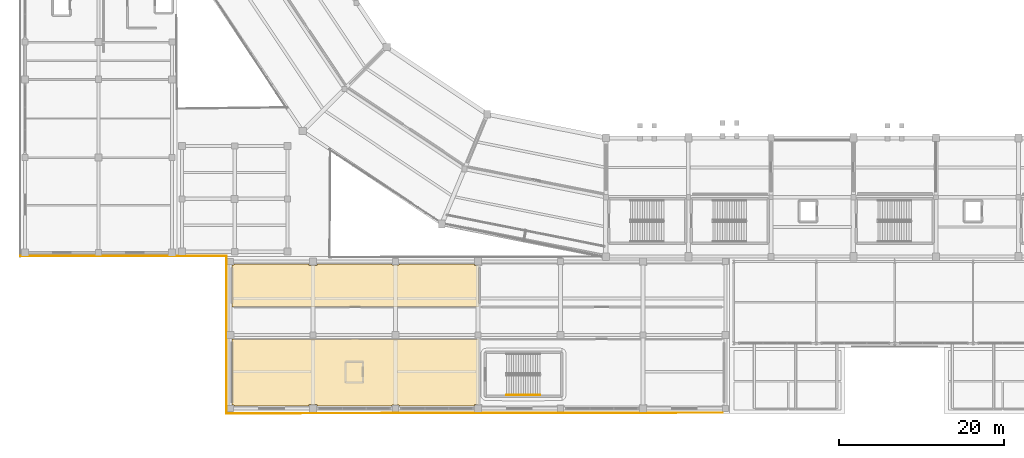
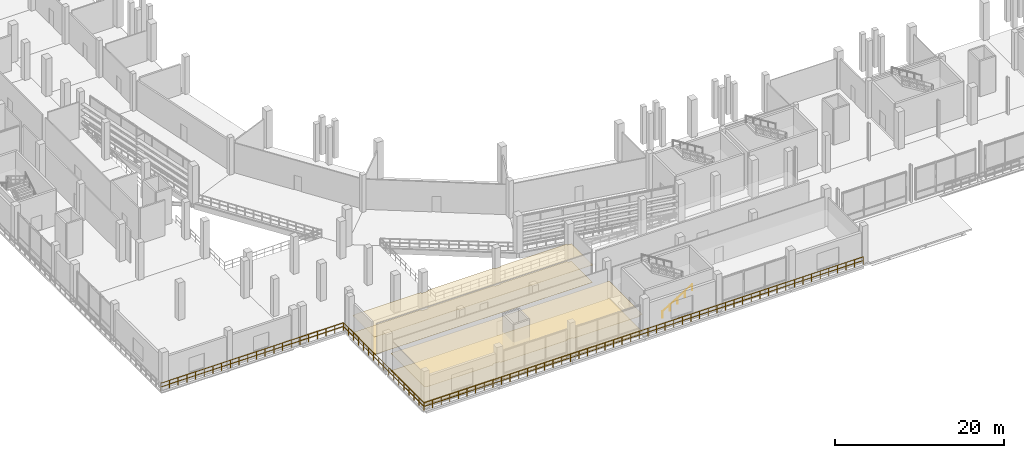
# One storey, part 91 of 114: 4 coverings, 4 railings.
"""IFC4 building model written with IfcOpenShell, lengths in metres."""

from ifc_helpers import new_model, si_unit, direction, frame, origin, origin_2d, place, context, subcontext, project, spatial, polyline, circle, outline, extrude, material, layer, layer_set, type_object, element, save


model = new_model("IFC4")

# Units and contexts
model_context = context("Model", 3, precision=1e-05, world=origin(), true_north=direction((0.0, 1.0)))
body_context = subcontext(model_context, "Body", "Model", "MODEL_VIEW")
ifc_project = project(units=[si_unit("LENGTHUNIT", "METRE"), si_unit("AREAUNIT", "SQUARE_METRE"), si_unit("VOLUMEUNIT", "CUBIC_METRE"), si_unit("PLANEANGLEUNIT", "RADIAN"), si_unit("MASSUNIT", "GRAM", prefix="KILO")], contexts=[model_context])

# Site, building, storey
site_placement = place(None, origin())
site = spatial("IfcSite", under=ifc_project, at=site_placement, CompositionType="ELEMENT")
building_placement = place(site_placement, origin())
building = spatial("IfcBuilding", under=site, at=building_placement, Name="Candeia Ridge Stadium", CompositionType="ELEMENT")
storey_placement = place(building_placement, frame((0.0, 0.0, 5.39990234375)))
storey = spatial("IfcBuildingStorey", under=building, at=storey_placement, Name="L01", CompositionType="ELEMENT", Elevation=5.39990234375)

# Coverings
ifc_material_1 = material(Name="Basalt Terrazzo Finish", Category="masonry")
ifc_layer_1 = layer(ifc_material_1, 0.02490234375, Name="Basalt Terrazzo Finish", Category="masonry")
ifc_layer_set_1 = layer_set([ifc_layer_1], Name="Basalt Terrazzo Finish")
covering_type_1 = type_object("IfcCoveringType", Name="Polished Basalt Terrazzo Flooring 25", PredefinedType="FLOORING", material=ifc_layer_set_1)
covering_1_placement = place(storey_placement, origin())
element("IfcCovering", 1, at=covering_1_placement, inside=storey, type_object=covering_type_1, Name="Interior finish flooring Football Heritage Permanent Gallery", PredefinedType="FLOORING", context=body_context, shape_type="SweptSolid", body=[
    extrude(outline(polyline([(25.670166015625, 9.0029296875), (25.670654296875, 9.005859375), (25.67138671875, 9.0087890625), (25.67236328125, 9.011474609375), (25.673583984375, 9.01416015625), (25.675048828125, 9.0166015625), (25.6767578125, 9.01904296875), (25.6787109375, 9.021240234375), (25.680908203125, 9.023193359375), (25.683349609375, 9.02490234375), (25.685791015625, 9.026611328125), (25.6884765625, 9.027587890625), (25.69140625, 9.02880859375), (25.694091796875, 9.029296875), (25.697021484375, 9.02978515625), (25.699951171875, 9.030029296875), (55.5, 9.030029296875), (55.5029296875, 9.02978515625), (55.505859375, 9.029296875), (55.5087890625, 9.02880859375), (55.511474609375, 9.027587890625), (55.51416015625, 9.026611328125), (55.5166015625, 9.02490234375), (55.51904296875, 9.023193359375), (55.521240234375, 9.021240234375), (55.523193359375, 9.01904296875), (55.52490234375, 9.0166015625), (55.526611328125, 9.01416015625), (55.527587890625, 9.011474609375), (55.52880859375, 9.0087890625), (55.529296875, 9.005859375), (55.52978515625, 9.0029296875), (55.530029296875, 9.0), (55.530029296875, 1.06494140625), (55.034912109375, 1.06494140625), (55.034912109375, 0.8701171875), (45.9150390625, 0.8701171875), (45.9150390625, 1.014892578125), (45.0849609375, 1.014892578125), (45.0849609375, 0.8701171875), (35.965087890625, 0.8701171875), (35.965087890625, 1.06494140625), (35.034912109375, 1.06494140625), (35.034912109375, 0.8701171875), (25.9150390625, 0.8701171875), (25.9150390625, 1.014892578125), (25.669921875, 1.014892578125), (25.669921875, 9.0), (25.670166015625, 9.0029296875)])), origin(), (0.0, 0.0, 1.0), 0.02001953125),
])
covering_2_placement = place(storey_placement, origin())
element("IfcCovering", 2, at=covering_2_placement, inside=storey, type_object=covering_type_1, Name="Interior finish flooring Football Heritage Permanent Gallery North Hall", PredefinedType="FLOORING", context=body_context, shape_type="SweptSolid", body=[
    extrude(outline(polyline([(25.694091796875, 12.87060546875), (25.69140625, 12.871337890625), (25.6884765625, 12.872314453125), (25.685791015625, 12.87353515625), (25.683349609375, 12.875), (25.680908203125, 12.876708984375), (25.6787109375, 12.87890625), (25.6767578125, 12.881103515625), (25.675048828125, 12.88330078125), (25.673583984375, 12.885986328125), (25.67236328125, 12.888427734375), (25.67138671875, 12.891357421875), (25.670654296875, 12.89404296875), (25.670166015625, 12.897216796875), (25.669921875, 12.89990234375), (25.669921875, 17.985107421875), (25.9150390625, 17.985107421875), (25.9150390625, 18.1298828125), (35.034912109375, 18.1298828125), (35.034912109375, 17.93505859375), (35.965087890625, 17.93505859375), (35.965087890625, 18.1298828125), (45.0849609375, 18.1298828125), (45.0849609375, 17.985107421875), (45.9150390625, 17.985107421875), (45.9150390625, 18.1298828125), (55.034912109375, 18.1298828125), (55.034912109375, 17.93505859375), (55.530029296875, 17.93505859375), (55.530029296875, 12.89990234375), (55.52978515625, 12.897216796875), (55.529296875, 12.89404296875), (55.52880859375, 12.891357421875), (55.527587890625, 12.888427734375), (55.526611328125, 12.885986328125), (55.52490234375, 12.88330078125), (55.523193359375, 12.881103515625), (55.521240234375, 12.87890625), (55.51904296875, 12.876708984375), (55.5166015625, 12.875), (55.51416015625, 12.87353515625), (55.511474609375, 12.872314453125), (55.5087890625, 12.871337890625), (55.505859375, 12.87060546875), (55.5029296875, 12.8701171875), (55.5, 12.8701171875), (25.699951171875, 12.8701171875), (25.697021484375, 12.8701171875), (25.694091796875, 12.87060546875)])), origin(), (0.0, 0.0, 1.0), 0.02001953125),
])
ifc_material_2 = material(Name="Western Red Cedar Acoustic Slat", Category="wood")
ifc_layer_2 = layer(ifc_material_2, 0.044921875, Name="Western Red Cedar Acoustic Slat", Category="wood")
ifc_layer_set_2 = layer_set([ifc_layer_2], Name="Western Red Cedar Acoustic Slat")
covering_type_2 = type_object("IfcCoveringType", Name="Slatted Cedar Acoustic Ceiling 45", PredefinedType="CEILING", material=ifc_layer_set_2)
covering_3_placement = place(storey_placement, frame((0.0, 0.0, 2.510009765625)))
element("IfcCovering", 3, at=covering_3_placement, inside=storey, type_object=covering_type_2, Name="Acoustic ceiling Football Heritage Permanent Gallery", PredefinedType="CEILING", context=body_context, shape_type="SweptSolid", body=[
    extrude(outline(polyline([(25.670166015625, 9.0029296875), (25.670654296875, 9.005859375), (25.67138671875, 9.0087890625), (25.67236328125, 9.011474609375), (25.673583984375, 9.01416015625), (25.675048828125, 9.0166015625), (25.6767578125, 9.01904296875), (25.6787109375, 9.021240234375), (25.680908203125, 9.023193359375), (25.683349609375, 9.02490234375), (25.685791015625, 9.026611328125), (25.6884765625, 9.027587890625), (25.69140625, 9.02880859375), (25.694091796875, 9.029296875), (25.697021484375, 9.02978515625), (25.699951171875, 9.030029296875), (55.5, 9.030029296875), (55.5029296875, 9.02978515625), (55.505859375, 9.029296875), (55.5087890625, 9.02880859375), (55.511474609375, 9.027587890625), (55.51416015625, 9.026611328125), (55.5166015625, 9.02490234375), (55.51904296875, 9.023193359375), (55.521240234375, 9.021240234375), (55.523193359375, 9.01904296875), (55.52490234375, 9.0166015625), (55.526611328125, 9.01416015625), (55.527587890625, 9.011474609375), (55.52880859375, 9.0087890625), (55.529296875, 9.005859375), (55.52978515625, 9.0029296875), (55.530029296875, 9.0), (55.530029296875, 1.06494140625), (55.034912109375, 1.06494140625), (55.034912109375, 0.8701171875), (45.9150390625, 0.8701171875), (45.9150390625, 1.014892578125), (45.0849609375, 1.014892578125), (45.0849609375, 0.8701171875), (35.965087890625, 0.8701171875), (35.965087890625, 1.06494140625), (35.034912109375, 1.06494140625), (35.034912109375, 0.8701171875), (25.9150390625, 0.8701171875), (25.9150390625, 1.014892578125), (25.669921875, 1.014892578125), (25.669921875, 9.0), (25.670166015625, 9.0029296875)])), origin(), (0.0, 0.0, 1.0), 0.0400390625),
])
covering_4_placement = place(storey_placement, frame((0.0, 0.0, 2.510009765625)))
element("IfcCovering", 4, at=covering_4_placement, inside=storey, type_object=covering_type_2, Name="Acoustic ceiling Football Heritage Permanent Gallery North Hall", PredefinedType="CEILING", context=body_context, shape_type="SweptSolid", body=[
    extrude(outline(polyline([(25.694091796875, 12.87060546875), (25.69140625, 12.871337890625), (25.6884765625, 12.872314453125), (25.685791015625, 12.87353515625), (25.683349609375, 12.875), (25.680908203125, 12.876708984375), (25.6787109375, 12.87890625), (25.6767578125, 12.881103515625), (25.675048828125, 12.88330078125), (25.673583984375, 12.885986328125), (25.67236328125, 12.888427734375), (25.67138671875, 12.891357421875), (25.670654296875, 12.89404296875), (25.670166015625, 12.897216796875), (25.669921875, 12.89990234375), (25.669921875, 17.985107421875), (25.9150390625, 17.985107421875), (25.9150390625, 18.1298828125), (35.034912109375, 18.1298828125), (35.034912109375, 17.93505859375), (35.965087890625, 17.93505859375), (35.965087890625, 18.1298828125), (45.0849609375, 18.1298828125), (45.0849609375, 17.985107421875), (45.9150390625, 17.985107421875), (45.9150390625, 18.1298828125), (55.034912109375, 18.1298828125), (55.034912109375, 17.93505859375), (55.530029296875, 17.93505859375), (55.530029296875, 12.89990234375), (55.52978515625, 12.897216796875), (55.529296875, 12.89404296875), (55.52880859375, 12.891357421875), (55.527587890625, 12.888427734375), (55.526611328125, 12.885986328125), (55.52490234375, 12.88330078125), (55.523193359375, 12.881103515625), (55.521240234375, 12.87890625), (55.51904296875, 12.876708984375), (55.5166015625, 12.875), (55.51416015625, 12.87353515625), (55.511474609375, 12.872314453125), (55.5087890625, 12.871337890625), (55.505859375, 12.87060546875), (55.5029296875, 12.8701171875), (55.5, 12.8701171875), (25.699951171875, 12.8701171875), (25.697021484375, 12.8701171875), (25.694091796875, 12.87060546875)])), origin(), (0.0, 0.0, 1.0), 0.0400390625),
])

# Railings
ifc_material_3 = material(Name="Galvanized Powder-Coated Steel", Category="steel")
ifc_layer_3 = layer(ifc_material_3, 0.074951171875, Name="Galvanized Powder-Coated Steel", Category="steel")
ifc_layer_set_3 = layer_set([ifc_layer_3], Name="Galvanized Powder-Coated Steel")
railing_type_1 = type_object("IfcRailingType", Name="Spectator Bowl Front Guardrail 1120", PredefinedType="GUARDRAIL", material=ifc_layer_set_3)
railing_1_placement = place(storey_placement, frame((85.14990234375, 0.080078125, 0.0)))
element("IfcRailing", 5, at=railing_1_placement, inside=storey, type_object=railing_type_1, Name="Deck edge safety guardrail GR-DE-L01-0016", PredefinedType="GUARDRAIL", context=body_context, shape_type="SweptSolid", body=[
    extrude(circle(Radius=0.02392578125, at=origin_2d()), frame((0.0, 0.0, 1.09619140625), z_axis=(-0.999999113809, -0.00133130813, 0.0), x_axis=(0.00133130813, -0.999999113809, 0.0)), (0.0, 0.0, 1.0), 60.14990234375),
    extrude(circle(Radius=0.02392578125, at=origin_2d()), frame((0.0, 0.0, 0.56005859375), z_axis=(-0.999999113809, -0.00133130813, 0.0), x_axis=(0.00133130813, -0.999999113809, 0.0)), (0.0, 0.0, 1.0), 60.14990234375),
    extrude(circle(Radius=0.02099609375, at=origin_2d()), origin(), (0.0, 0.0, 1.0), 1.072021484375),
    extrude(circle(Radius=0.02099609375, at=origin_2d()), frame((-1.179443359375, -0.00146484375, 0.0)), (0.0, 0.0, 1.0), 1.072021484375),
    extrude(circle(Radius=0.02099609375, at=origin_2d()), frame((-2.35888671875, -0.003173828125, 0.0)), (0.0, 0.0, 1.0), 1.072021484375),
    extrude(circle(Radius=0.02099609375, at=origin_2d()), frame((-3.538330078125, -0.004638671875, 0.0)), (0.0, 0.0, 1.0), 1.072021484375),
    extrude(circle(Radius=0.02099609375, at=origin_2d()), frame((-4.717529296875, -0.00634765625, 0.0)), (0.0, 0.0, 1.0), 1.072021484375),
    extrude(circle(Radius=0.02099609375, at=origin_2d()), frame((-5.89697265625, -0.0078125, 0.0)), (0.0, 0.0, 1.0), 1.072021484375),
    extrude(circle(Radius=0.02099609375, at=origin_2d()), frame((-7.076416015625, -0.009521484375, 0.0)), (0.0, 0.0, 1.0), 1.072021484375),
    extrude(circle(Radius=0.02099609375, at=origin_2d()), frame((-8.255859375, -0.010986328125, 0.0)), (0.0, 0.0, 1.0), 1.072021484375),
    extrude(circle(Radius=0.02099609375, at=origin_2d()), frame((-9.435302734375, -0.012451171875, 0.0)), (0.0, 0.0, 1.0), 1.072021484375),
    extrude(circle(Radius=0.02099609375, at=origin_2d()), frame((-10.61474609375, -0.01416015625, 0.0)), (0.0, 0.0, 1.0), 1.072021484375),
    extrude(circle(Radius=0.02099609375, at=origin_2d()), frame((-11.794189453125, -0.015625, 0.0)), (0.0, 0.0, 1.0), 1.072021484375),
    extrude(circle(Radius=0.02099609375, at=origin_2d()), frame((-12.973388671875, -0.017333984375, 0.0)), (0.0, 0.0, 1.0), 1.072021484375),
    extrude(circle(Radius=0.02099609375, at=origin_2d()), frame((-14.15283203125, -0.018798828125, 0.0)), (0.0, 0.0, 1.0), 1.072021484375),
    extrude(circle(Radius=0.02099609375, at=origin_2d()), frame((-15.332275390625, -0.0205078125, 0.0)), (0.0, 0.0, 1.0), 1.072021484375),
    extrude(circle(Radius=0.02099609375, at=origin_2d()), frame((-16.51171875, -0.02197265625, 0.0)), (0.0, 0.0, 1.0), 1.072021484375),
    extrude(circle(Radius=0.02099609375, at=origin_2d()), frame((-17.691162109375, -0.0234375, 0.0)), (0.0, 0.0, 1.0), 1.072021484375),
    extrude(circle(Radius=0.02099609375, at=origin_2d()), frame((-18.87060546875, -0.025146484375, 0.0)), (0.0, 0.0, 1.0), 1.072021484375),
    extrude(circle(Radius=0.02099609375, at=origin_2d()), frame((-20.050048828125, -0.026611328125, 0.0)), (0.0, 0.0, 1.0), 1.072021484375),
    extrude(circle(Radius=0.02099609375, at=origin_2d()), frame((-21.2294921875, -0.0283203125, 0.0)), (0.0, 0.0, 1.0), 1.072021484375),
    extrude(circle(Radius=0.02099609375, at=origin_2d()), frame((-22.40869140625, -0.02978515625, 0.0)), (0.0, 0.0, 1.0), 1.072021484375),
    extrude(circle(Radius=0.02099609375, at=origin_2d()), frame((-23.588134765625, -0.031494140625, 0.0)), (0.0, 0.0, 1.0), 1.072021484375),
    extrude(circle(Radius=0.02099609375, at=origin_2d()), frame((-24.767578125, -0.032958984375, 0.0)), (0.0, 0.0, 1.0), 1.072021484375),
    extrude(circle(Radius=0.02099609375, at=origin_2d()), frame((-25.947021484375, -0.034423828125, 0.0)), (0.0, 0.0, 1.0), 1.072021484375),
    extrude(circle(Radius=0.02099609375, at=origin_2d()), frame((-27.12646484375, -0.0361328125, 0.0)), (0.0, 0.0, 1.0), 1.072021484375),
    extrude(circle(Radius=0.02099609375, at=origin_2d()), frame((-28.305908203125, -0.03759765625, 0.0)), (0.0, 0.0, 1.0), 1.072021484375),
    extrude(circle(Radius=0.02099609375, at=origin_2d()), frame((-29.4853515625, -0.039306640625, 0.0)), (0.0, 0.0, 1.0), 1.072021484375),
    extrude(circle(Radius=0.02099609375, at=origin_2d()), frame((-30.66455078125, -0.040771484375, 0.0)), (0.0, 0.0, 1.0), 1.072021484375),
    extrude(circle(Radius=0.02099609375, at=origin_2d()), frame((-31.843994140625, -0.04248046875, 0.0)), (0.0, 0.0, 1.0), 1.072021484375),
    extrude(circle(Radius=0.02099609375, at=origin_2d()), frame((-33.0234375, -0.0439453125, 0.0)), (0.0, 0.0, 1.0), 1.072021484375),
    extrude(circle(Radius=0.02099609375, at=origin_2d()), frame((-34.202880859375, -0.045654296875, 0.0)), (0.0, 0.0, 1.0), 1.072021484375),
    extrude(circle(Radius=0.02099609375, at=origin_2d()), frame((-35.38232421875, -0.047119140625, 0.0)), (0.0, 0.0, 1.0), 1.072021484375),
    extrude(circle(Radius=0.02099609375, at=origin_2d()), frame((-36.561767578125, -0.048583984375, 0.0)), (0.0, 0.0, 1.0), 1.072021484375),
    extrude(circle(Radius=0.02099609375, at=origin_2d()), frame((-37.7412109375, -0.05029296875, 0.0)), (0.0, 0.0, 1.0), 1.072021484375),
    extrude(circle(Radius=0.02099609375, at=origin_2d()), frame((-38.92041015625, -0.0517578125, 0.0)), (0.0, 0.0, 1.0), 1.072021484375),
    extrude(circle(Radius=0.02099609375, at=origin_2d()), frame((-40.099853515625, -0.053466796875, 0.0)), (0.0, 0.0, 1.0), 1.072021484375),
    extrude(circle(Radius=0.02099609375, at=origin_2d()), frame((-41.279296875, -0.054931640625, 0.0)), (0.0, 0.0, 1.0), 1.072021484375),
    extrude(circle(Radius=0.02099609375, at=origin_2d()), frame((-42.458740234375, -0.056640625, 0.0)), (0.0, 0.0, 1.0), 1.072021484375),
    extrude(circle(Radius=0.02099609375, at=origin_2d()), frame((-43.63818359375, -0.05810546875, 0.0)), (0.0, 0.0, 1.0), 1.072021484375),
    extrude(circle(Radius=0.02099609375, at=origin_2d()), frame((-44.817626953125, -0.0595703125, 0.0)), (0.0, 0.0, 1.0), 1.072021484375),
    extrude(circle(Radius=0.02099609375, at=origin_2d()), frame((-45.9970703125, -0.061279296875, 0.0)), (0.0, 0.0, 1.0), 1.072021484375),
    extrude(circle(Radius=0.02099609375, at=origin_2d()), frame((-47.176513671875, -0.062744140625, 0.0)), (0.0, 0.0, 1.0), 1.072021484375),
    extrude(circle(Radius=0.02099609375, at=origin_2d()), frame((-48.355712890625, -0.064453125, 0.0)), (0.0, 0.0, 1.0), 1.072021484375),
    extrude(circle(Radius=0.02099609375, at=origin_2d()), frame((-49.53515625, -0.06591796875, 0.0)), (0.0, 0.0, 1.0), 1.072021484375),
    extrude(circle(Radius=0.02099609375, at=origin_2d()), frame((-50.714599609375, -0.067626953125, 0.0)), (0.0, 0.0, 1.0), 1.072021484375),
    extrude(circle(Radius=0.02099609375, at=origin_2d()), frame((-51.89404296875, -0.069091796875, 0.0)), (0.0, 0.0, 1.0), 1.072021484375),
    extrude(circle(Radius=0.02099609375, at=origin_2d()), frame((-53.073486328125, -0.070556640625, 0.0)), (0.0, 0.0, 1.0), 1.072021484375),
    extrude(circle(Radius=0.02099609375, at=origin_2d()), frame((-54.2529296875, -0.072265625, 0.0)), (0.0, 0.0, 1.0), 1.072021484375),
    extrude(circle(Radius=0.02099609375, at=origin_2d()), frame((-55.432373046875, -0.07373046875, 0.0)), (0.0, 0.0, 1.0), 1.072021484375),
    extrude(circle(Radius=0.02099609375, at=origin_2d()), frame((-56.611572265625, -0.075439453125, 0.0)), (0.0, 0.0, 1.0), 1.072021484375),
    extrude(circle(Radius=0.02099609375, at=origin_2d()), frame((-57.791015625, -0.076904296875, 0.0)), (0.0, 0.0, 1.0), 1.072021484375),
    extrude(circle(Radius=0.02099609375, at=origin_2d()), frame((-58.970458984375, -0.07861328125, 0.0)), (0.0, 0.0, 1.0), 1.072021484375),
    extrude(circle(Radius=0.02099609375, at=origin_2d()), frame((-60.14990234375, -0.080078125, 0.0)), (0.0, 0.0, 1.0), 1.072021484375),
])
railing_2_placement = place(storey_placement, frame((25.0, 0.0, 0.0)))
element("IfcRailing", 6, at=railing_2_placement, inside=storey, type_object=railing_type_1, Name="Deck edge safety guardrail GR-DE-L01-0017", PredefinedType="GUARDRAIL", context=body_context, shape_type="SweptSolid", body=[
    extrude(circle(Radius=0.02392578125, at=origin_2d()), frame((0.0, 0.0, 1.09619140625), z_axis=(0.0, 1.0, 0.0), x_axis=(-1.0, 0.0, 0.0)), (0.0, 0.0, 1.0), 19.080078125),
    extrude(circle(Radius=0.02392578125, at=origin_2d()), frame((0.0, 0.0, 0.56005859375), z_axis=(0.0, 1.0, 0.0), x_axis=(-1.0, 0.0, 0.0)), (0.0, 0.0, 1.0), 19.080078125),
    extrude(circle(Radius=0.02099609375, at=origin_2d()), origin(), (0.0, 0.0, 1.0), 1.072021484375),
    extrude(circle(Radius=0.02099609375, at=origin_2d()), frame((0.0, 1.1923828125, 0.0)), (0.0, 0.0, 1.0), 1.072021484375),
    extrude(circle(Radius=0.02099609375, at=origin_2d()), frame((0.0, 2.385009765625, 0.0)), (0.0, 0.0, 1.0), 1.072021484375),
    extrude(circle(Radius=0.02099609375, at=origin_2d()), frame((0.0, 3.57763671875, 0.0)), (0.0, 0.0, 1.0), 1.072021484375),
    extrude(circle(Radius=0.02099609375, at=origin_2d()), frame((0.0, 4.77001953125, 0.0)), (0.0, 0.0, 1.0), 1.072021484375),
    extrude(circle(Radius=0.02099609375, at=origin_2d()), frame((0.0, 5.96240234375, 0.0)), (0.0, 0.0, 1.0), 1.072021484375),
    extrude(circle(Radius=0.02099609375, at=origin_2d()), frame((0.0, 7.155029296875, 0.0)), (0.0, 0.0, 1.0), 1.072021484375),
    extrude(circle(Radius=0.02099609375, at=origin_2d()), frame((0.0, 8.34765625, 0.0)), (0.0, 0.0, 1.0), 1.072021484375),
    extrude(circle(Radius=0.02099609375, at=origin_2d()), frame((0.0, 9.5400390625, 0.0)), (0.0, 0.0, 1.0), 1.072021484375),
    extrude(circle(Radius=0.02099609375, at=origin_2d()), frame((0.0, 10.732421875, 0.0)), (0.0, 0.0, 1.0), 1.072021484375),
    extrude(circle(Radius=0.02099609375, at=origin_2d()), frame((0.0, 11.925048828125, 0.0)), (0.0, 0.0, 1.0), 1.072021484375),
    extrude(circle(Radius=0.02099609375, at=origin_2d()), frame((0.0, 13.11767578125, 0.0)), (0.0, 0.0, 1.0), 1.072021484375),
    extrude(circle(Radius=0.02099609375, at=origin_2d()), frame((0.0, 14.31005859375, 0.0)), (0.0, 0.0, 1.0), 1.072021484375),
    extrude(circle(Radius=0.02099609375, at=origin_2d()), frame((0.0, 15.50244140625, 0.0)), (0.0, 0.0, 1.0), 1.072021484375),
    extrude(circle(Radius=0.02099609375, at=origin_2d()), frame((0.0, 16.695068359375, 0.0)), (0.0, 0.0, 1.0), 1.072021484375),
    extrude(circle(Radius=0.02099609375, at=origin_2d()), frame((0.0, 17.8876953125, 0.0)), (0.0, 0.0, 1.0), 1.072021484375),
    extrude(circle(Radius=0.02099609375, at=origin_2d()), frame((0.0, 19.080078125, 0.0)), (0.0, 0.0, 1.0), 1.072021484375),
])
railing_3_placement = place(storey_placement, frame((25.0, 19.080078125, 0.0)))
element("IfcRailing", 7, at=railing_3_placement, inside=storey, type_object=railing_type_1, Name="Deck edge safety guardrail GR-DE-L01-0018", PredefinedType="GUARDRAIL", context=body_context, shape_type="SweptSolid", body=[
    extrude(circle(Radius=0.02392578125, at=origin_2d()), frame((0.0, 0.0, 1.09619140625), z_axis=(-1.0, 0.0, 0.0), x_axis=(0.0, -1.0, 0.0)), (0.0, 0.0, 1.0), 25.0),
    extrude(circle(Radius=0.02392578125, at=origin_2d()), frame((0.0, 0.0, 0.56005859375), z_axis=(-1.0, 0.0, 0.0), x_axis=(0.0, -1.0, 0.0)), (0.0, 0.0, 1.0), 25.0),
    extrude(circle(Radius=0.02099609375, at=origin_2d()), origin(), (0.0, 0.0, 1.0), 1.072021484375),
    extrude(circle(Radius=0.02099609375, at=origin_2d()), frame((-1.1904296875, 0.0, 0.0)), (0.0, 0.0, 1.0), 1.072021484375),
    extrude(circle(Radius=0.02099609375, at=origin_2d()), frame((-2.380859375, 0.0, 0.0)), (0.0, 0.0, 1.0), 1.072021484375),
    extrude(circle(Radius=0.02099609375, at=origin_2d()), frame((-3.571533203125, 0.0, 0.0)), (0.0, 0.0, 1.0), 1.072021484375),
    extrude(circle(Radius=0.02099609375, at=origin_2d()), frame((-4.761962890625, 0.0, 0.0)), (0.0, 0.0, 1.0), 1.072021484375),
    extrude(circle(Radius=0.02099609375, at=origin_2d()), frame((-5.952392578125, 0.0, 0.0)), (0.0, 0.0, 1.0), 1.072021484375),
    extrude(circle(Radius=0.02099609375, at=origin_2d()), frame((-7.142822265625, 0.0, 0.0)), (0.0, 0.0, 1.0), 1.072021484375),
    extrude(circle(Radius=0.02099609375, at=origin_2d()), frame((-8.333251953125, 0.0, 0.0)), (0.0, 0.0, 1.0), 1.072021484375),
    extrude(circle(Radius=0.02099609375, at=origin_2d()), frame((-9.52392578125, 0.0, 0.0)), (0.0, 0.0, 1.0), 1.072021484375),
    extrude(circle(Radius=0.02099609375, at=origin_2d()), frame((-10.71435546875, 0.0, 0.0)), (0.0, 0.0, 1.0), 1.072021484375),
    extrude(circle(Radius=0.02099609375, at=origin_2d()), frame((-11.90478515625, 0.0, 0.0)), (0.0, 0.0, 1.0), 1.072021484375),
    extrude(circle(Radius=0.02099609375, at=origin_2d()), frame((-13.09521484375, 0.0, 0.0)), (0.0, 0.0, 1.0), 1.072021484375),
    extrude(circle(Radius=0.02099609375, at=origin_2d()), frame((-14.28564453125, 0.0, 0.0)), (0.0, 0.0, 1.0), 1.072021484375),
    extrude(circle(Radius=0.02099609375, at=origin_2d()), frame((-15.47607421875, 0.0, 0.0)), (0.0, 0.0, 1.0), 1.072021484375),
    extrude(circle(Radius=0.02099609375, at=origin_2d()), frame((-16.666748046875, 0.0, 0.0)), (0.0, 0.0, 1.0), 1.072021484375),
    extrude(circle(Radius=0.02099609375, at=origin_2d()), frame((-17.857177734375, 0.0, 0.0)), (0.0, 0.0, 1.0), 1.072021484375),
    extrude(circle(Radius=0.02099609375, at=origin_2d()), frame((-19.047607421875, 0.0, 0.0)), (0.0, 0.0, 1.0), 1.072021484375),
    extrude(circle(Radius=0.02099609375, at=origin_2d()), frame((-20.238037109375, 0.0, 0.0)), (0.0, 0.0, 1.0), 1.072021484375),
    extrude(circle(Radius=0.02099609375, at=origin_2d()), frame((-21.428466796875, 0.0, 0.0)), (0.0, 0.0, 1.0), 1.072021484375),
    extrude(circle(Radius=0.02099609375, at=origin_2d()), frame((-22.619140625, 0.0, 0.0)), (0.0, 0.0, 1.0), 1.072021484375),
    extrude(circle(Radius=0.02099609375, at=origin_2d()), frame((-23.8095703125, 0.0, 0.0)), (0.0, 0.0, 1.0), 1.072021484375),
    extrude(circle(Radius=0.02099609375, at=origin_2d()), frame((-25.0, 0.0, 0.0)), (0.0, 0.0, 1.0), 1.072021484375),
])
ifc_material_4 = material(Name="Brushed Stainless Steel", Category="steel")
ifc_layer_4 = layer(ifc_material_4, 0.048095703125, Name="Brushed Stainless Steel", Category="steel")
ifc_layer_set_4 = layer_set([ifc_layer_4], Name="Brushed Stainless Steel")
railing_type_2 = type_object("IfcRailingType", Name="Stair Wall & Flight Handrail 900", PredefinedType="HANDRAIL", material=ifc_layer_set_4)
railing_4_placement = place(storey_placement, frame((58.949951171875, 2.25, 0.18017578125)))
element("IfcRailing", 8, at=railing_4_placement, inside=storey, type_object=railing_type_2, Name="L01 ST13 stair handrail 1", PredefinedType="HANDRAIL", context=body_context, shape_type="SweptSolid", body=[
    extrude(circle(Radius=0.02392578125, at=origin_2d()), frame((0.0, 0.0, 0.8759765625), z_axis=(0.849641744969, 0.0, 0.527360318194), x_axis=(0.0, 1.0, 0.0)), (0.0, 0.0, 1.0), 4.778564453125),
    extrude(circle(Radius=0.02099609375, at=origin_2d()), origin(), (0.0, 0.0, 1.0), 0.851806640625),
    extrude(circle(Radius=0.02099609375, at=origin_2d()), frame((1.01513671875, 0.0, 0.6298828125)), (0.0, 0.0, 1.0), 0.851806640625),
    extrude(circle(Radius=0.02099609375, at=origin_2d()), frame((2.030029296875, 0.0, 1.260009765625)), (0.0, 0.0, 1.0), 0.851806640625),
    extrude(circle(Radius=0.02099609375, at=origin_2d()), frame((3.044921875, 0.0, 1.89013671875)), (0.0, 0.0, 1.0), 0.851806640625),
    extrude(circle(Radius=0.02099609375, at=origin_2d()), frame((4.06005859375, 0.0, 2.52001953125)), (0.0, 0.0, 1.0), 0.851806640625),
])

save(model, "model.ifc")
